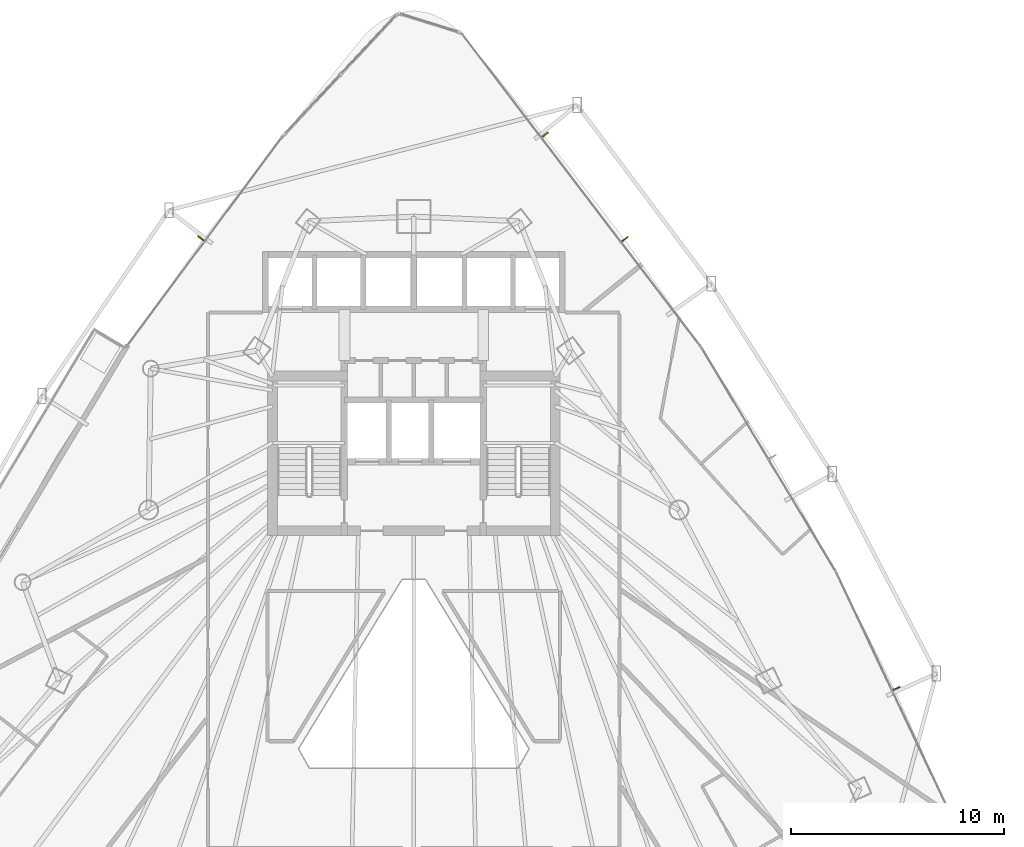
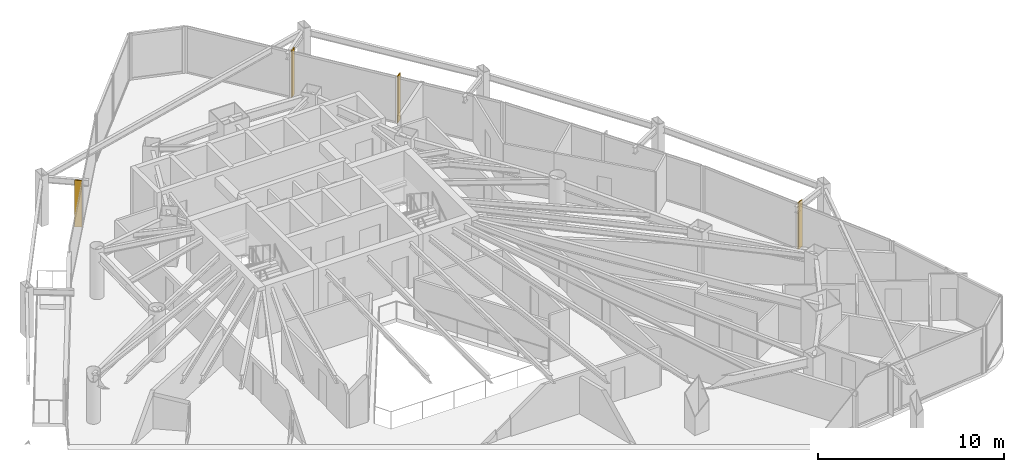
# One storey, part 34 of 34: 4 shading devices.
"""IFC4 building model written with IfcOpenShell, lengths in metres."""

from ifc_helpers import new_model, si_unit, direction, frame, origin, origin_2d, place, context, subcontext, project, spatial, rectangle, extrude, material, layer, layer_set, type_object, element, save


model = new_model("IFC4")

# Units and contexts
model_context = context("Model", 3, precision=1e-05, world=origin(), true_north=direction((0.0, 1.0)))
body_context = subcontext(model_context, "Body", "Model", "MODEL_VIEW")
ifc_project = project(units=[si_unit("LENGTHUNIT", "METRE"), si_unit("AREAUNIT", "SQUARE_METRE"), si_unit("VOLUMEUNIT", "CUBIC_METRE"), si_unit("PLANEANGLEUNIT", "RADIAN"), si_unit("MASSUNIT", "GRAM", prefix="KILO")], contexts=[model_context])

# Site, building, storey
site_placement = place(None, origin())
site = spatial("IfcSite", under=ifc_project, at=site_placement, CompositionType="ELEMENT")
building_placement = place(site_placement, origin())
building = spatial("IfcBuilding", under=site, at=building_placement, Name="Orvanel Arch Residences", CompositionType="ELEMENT")
storey_placement = place(building_placement, frame((0.0, 0.0, 74.14990234375)))
storey = spatial("IfcBuildingStorey", under=building, at=storey_placement, Name="L20", CompositionType="ELEMENT", Elevation=74.14990234375)

# Shading devices
ifc_material = material(Name="Bronze-anodised aluminium AA6063-T6", Category="aluminium")
ifc_layer = layer(ifc_material, 0.06005859375)
ifc_layer_set = layer_set([ifc_layer], Name="Bronze-anodised aluminium AA6063-T6")
shading_device_type = type_object("IfcShadingDeviceType", Name="FIN-BRZ-380", PredefinedType="USERDEFINED", material=ifc_layer_set)
for number, where, z_axis, x_axis, name in (
    (1, (23.030029296875, 40.367919921875, 0.0), (0.0, 0.0, 1.0), (-0.802817475191, 0.596224874966, 0.0), "L20 Anodised Bronze Mullion FIN 01"),
    (2, (55.625, 19.27197265625, 0.0), (0.0, 0.0, 1.0), (0.904082549661, 0.427357863387, 0.0), "L20 Anodised Bronze Mullion FIN 01"),
    (3, (42.89306640625, 40.3330078125, 0.0), (0.0, 0.0, 1.0), (0.794414620535, 0.607375839723, 0.0), "L20 Anodised Bronze Mullion FIN 01"),
    (4, (39.15087890625, 45.23193359375, 0.0), (0.0, 0.0, 1.0), (0.794414620535, 0.607375839723, 0.0), "L20 Anodised Bronze Mullion FIN 02"),
):
    element("IfcShadingDevice", number, at=place(storey_placement, frame(where, z_axis=z_axis, x_axis=x_axis)), inside=storey, type_object=shading_device_type, Name=name, ObjectType="FIN", PredefinedType="USERDEFINED", context=body_context, shape_type="SweptSolid", body=[
        extrude(rectangle(XDim=0.3798828125, YDim=0.06005859375, at=origin_2d()), origin(), (0.0, 0.0, 1.0), 3.06005859375),
    ])

save(model, "model.ifc")
